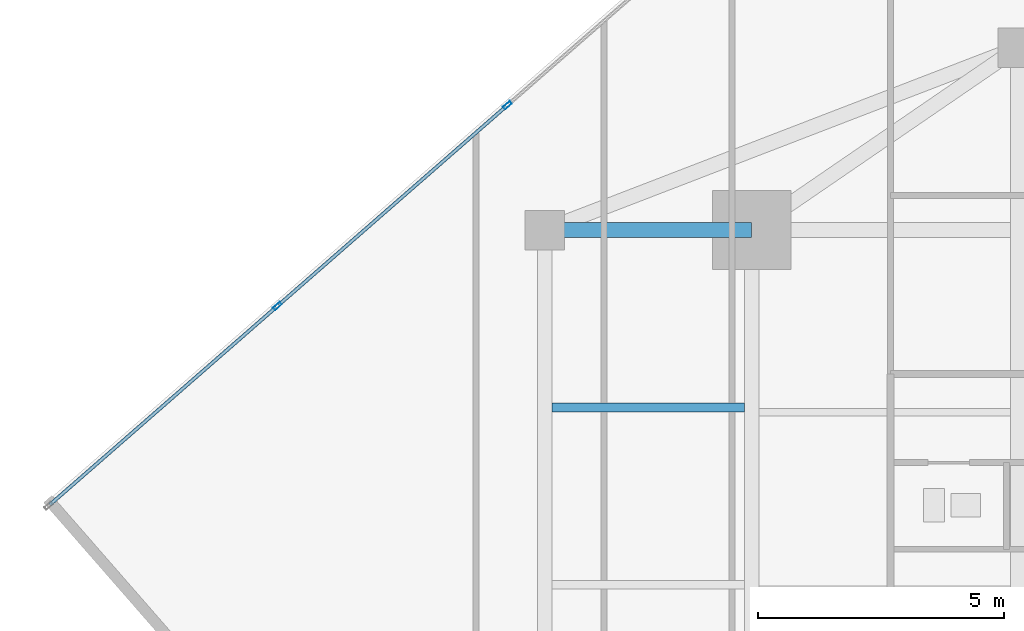
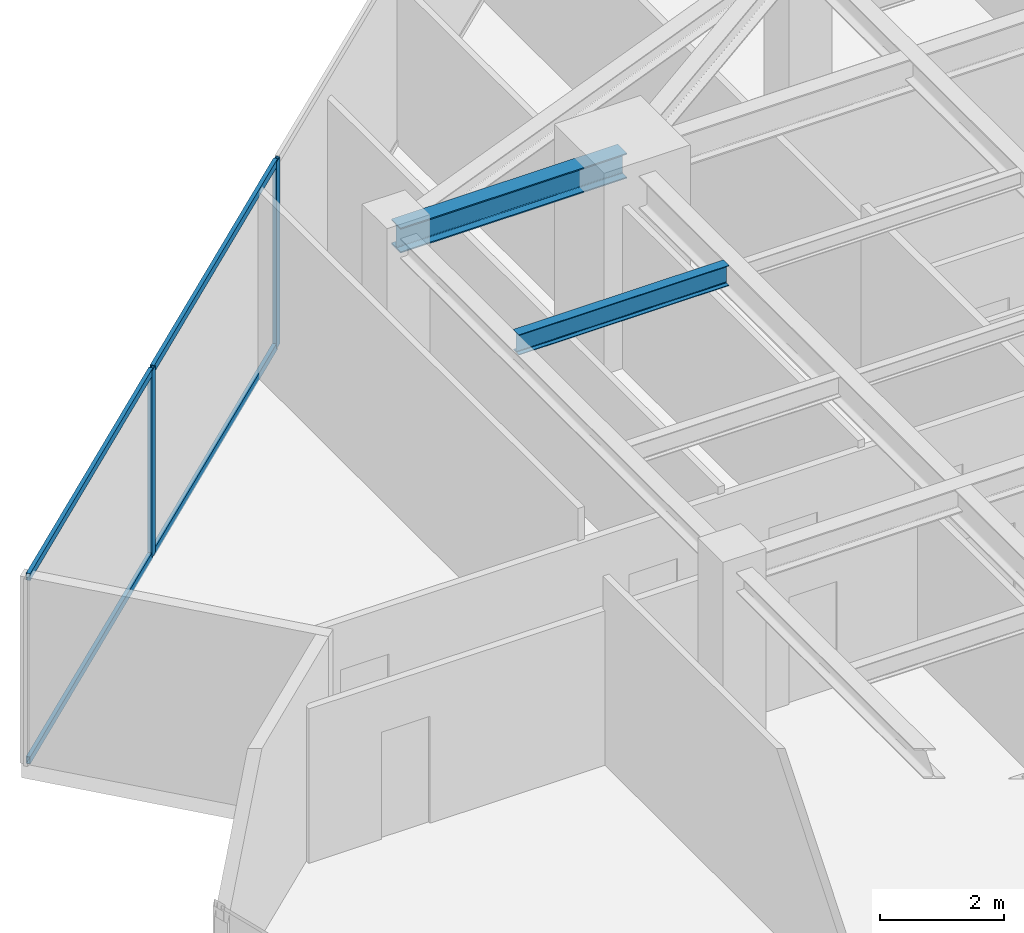
# One storey, part 13 of 24: 6 members, 2 beams, 1 element without a shape of its own.
"""IFC4 building model written with IfcOpenShell, lengths in metres."""

from ifc_helpers import new_model, si_unit, direction, frame, origin, origin_2d, place, context, subcontext, project, spatial, hollow_rectangle, i_section, extrude, source, transform, mapped, material, material_profile, profile_set, type_object, type_shapes, element, aggregate, save


model = new_model("IFC4")

# Units and contexts
model_context = context("Model", 3, precision=1e-05, world=origin(), true_north=direction((0.0, 1.0)))
body_context = subcontext(model_context, "Body", "Model", "MODEL_VIEW")
ifc_project = project(units=[si_unit("LENGTHUNIT", "METRE"), si_unit("AREAUNIT", "SQUARE_METRE"), si_unit("VOLUMEUNIT", "CUBIC_METRE"), si_unit("PLANEANGLEUNIT", "RADIAN"), si_unit("MASSUNIT", "GRAM", prefix="KILO")], contexts=[model_context])

# Site, building, storey
site_placement = place(None, origin())
site = spatial("IfcSite", under=ifc_project, at=site_placement, CompositionType="ELEMENT")
building_placement = place(site_placement, origin())
building = spatial("IfcBuilding", under=site, at=building_placement, Name="Krantzveldt Concourse Tower", CompositionType="ELEMENT")
storey_placement = place(building_placement, frame((0.0, 0.0, 250.75)))
storey = spatial("IfcBuildingStorey", under=building, at=storey_placement, Name="L61", CompositionType="ELEMENT", Elevation=250.75)

# Beams
ifc_material_1 = material(Name="Steel S355JR", Category="steel")
ifc_material_profile_1 = material_profile(ifc_material_1, i_section(OverallWidth=0.300048828125, OverallDepth=0.489990234375, WebThickness=0.011962890625, FlangeThickness=0.02294921875, FilletRadius=0.027099609375, at=origin_2d()), Name="Steel S355JR", Category="steel")
ifc_profile_set_1 = profile_set([ifc_material_profile_1], Name="Steel S355JR - HEA 500")
beam_type_1 = type_object("IfcBeamType", Name="BM-B-HEA500", PredefinedType="BEAM", material=ifc_profile_set_1)
shared_shape_1 = source(origin(), body_context, "Body", "SweptSolid", [
    extrude(i_section(OverallWidth=0.300048828125, OverallDepth=0.489990234375, WebThickness=0.011962890625, FlangeThickness=0.02294921875, FilletRadius=0.027099609375, at=origin_2d()), origin(), (0.0, 0.0, 1.0), 4.199951171875),
])
type_shapes(beam_type_1, [shared_shape_1])
beam_1_placement = place(storey_placement, frame((21.0, 37.5, 3.425048828125), z_axis=(1.0, 0.0, 0.0), x_axis=(0.0, 1.0, 0.0)))
element("IfcBeam", 1, at=beam_1_placement, inside=storey, type_object=beam_type_1, Name="L61 Tower Girder BR-RL3", PredefinedType="BEAM", context=body_context, shape_type="MappedRepresentation", body=[
    mapped(shared_shape_1, transform((0.0, 0.0, 0.0), x_axis=(1.0, 0.0, 0.0), y_axis=(0.0, 1.0, 0.0), z_axis=(0.0, 0.0, 1.0), scale=1.0)),
])
ifc_material_profile_2 = material_profile(ifc_material_1, i_section(OverallWidth=0.179931640625, OverallDepth=0.39990234375, WebThickness=0.008544921875, FlangeThickness=0.013427734375, FilletRadius=0.02099609375, at=origin_2d()), Name="Steel S355JR", Category="steel")
ifc_profile_set_2 = profile_set([ifc_material_profile_2], Name="Steel S355JR - IPE 400")
beam_type_2 = type_object("IfcBeamType", Name="BM-J-IPE400", PredefinedType="JOIST", material=ifc_profile_set_2)
shared_shape_2 = source(origin(), body_context, "Body", "SweptSolid", [
    extrude(i_section(OverallWidth=0.179931640625, OverallDepth=0.39990234375, WebThickness=0.008544921875, FlangeThickness=0.013427734375, FilletRadius=0.02099609375, at=origin_2d()), origin(), (0.0, 0.0, 1.0), 3.900146484375),
])
type_shapes(beam_type_2, [shared_shape_2])
beam_2_placement = place(storey_placement, frame((21.14990234375, 33.89990234375, 3.469970703125), z_axis=(1.0, 0.0, 0.0), x_axis=(0.0, 1.0, 0.0)))
element("IfcBeam", 2, at=beam_2_placement, inside=storey, type_object=beam_type_2, Name="L61 Secondary Floor Joist JW-4", PredefinedType="JOIST", context=body_context, shape_type="MappedRepresentation", body=[
    mapped(shared_shape_2, transform((0.0, 0.0, 0.0), x_axis=(1.0, 0.0, 0.0), y_axis=(0.0, 1.0, 0.0), z_axis=(0.0, 0.0, 1.0), scale=1.0)),
])

# Curtain wall, members
ifc_material_2 = material(Name="Anodised aluminium 6063-T6", Category="aluminium")
curtain_wall_type = type_object("IfcCurtainWallType", Name="CW3", PredefinedType="USERDEFINED", material=ifc_material_2)
curtain_wall_placement = place(storey_placement, origin())
curtain_wall = element("IfcCurtainWall", 3, at=curtain_wall_placement, inside=storey, type_object=curtain_wall_type, Name="CW-L61-F01", ObjectType="UNITISED CURTAIN WALL", PredefinedType="USERDEFINED")
ifc_material_profile_3 = material_profile(ifc_material_2, hollow_rectangle(XDim=0.070068359375, YDim=0.179931640625, WallThickness=0.0048828125, at=origin_2d()), Name="Anodised aluminium 6063-T6", Category="aluminium")
ifc_profile_set_3 = profile_set([ifc_material_profile_3], Name="Anodised aluminium 6063-T6 - ALU-MULL 180x70x5")
member_type_1 = type_object("IfcMemberType", Name="CW-MUL-180", PredefinedType="MULLION", material=ifc_profile_set_3)
shared_shape_3 = source(origin(), body_context, "Body", "SweptSolid", [
    extrude(hollow_rectangle(XDim=0.070068359375, YDim=0.179931640625, WallThickness=0.0048828125, at=origin_2d()), origin(), (0.0, 0.0, 1.0), 3.669921875),
])
type_shapes(member_type_1, [shared_shape_3])
member_1_placement = place(storey_placement, frame((20.2412109375, 40.035400390625, 0.0), z_axis=(0.0, 0.0, 1.0), x_axis=(0.657703938567, -0.753276529034, 0.0)))
member_1 = element("IfcMember", 4, at=member_1_placement, type_object=member_type_1, Name="CW-Z34 mullion 4", PredefinedType="MULLION", context=body_context, shape_type="MappedRepresentation", body=[
    mapped(shared_shape_3, transform((0.0, 0.0, 0.0), x_axis=(1.0, 0.0, 0.0), y_axis=(0.0, 1.0, 0.0), z_axis=(0.0, 0.0, 1.0), scale=1.0)),
])
member_2_placement = place(storey_placement, frame((15.57080078125, 35.957763671875, 0.0), z_axis=(0.0, 0.0, 1.0), x_axis=(0.657703938567, -0.753276529034, 0.0)))
member_2 = element("IfcMember", 5, at=member_2_placement, type_object=member_type_1, Name="CW-Z34 mullion 5", PredefinedType="MULLION", context=body_context, shape_type="MappedRepresentation", body=[
    mapped(shared_shape_3, transform((0.0, 0.0, 0.0), x_axis=(1.0, 0.0, 0.0), y_axis=(0.0, 1.0, 0.0), z_axis=(0.0, 0.0, 1.0), scale=1.0)),
])
ifc_material_profile_4 = material_profile(ifc_material_2, hollow_rectangle(XDim=0.070068359375, YDim=0.139892578125, WallThickness=0.0048828125, at=origin_2d()), Name="Anodised aluminium 6063-T6", Category="aluminium")
ifc_profile_set_4 = profile_set([ifc_material_profile_4], Name="Anodised aluminium 6063-T6 - ALU-TRAN 140x70x5")
member_type_2 = type_object("IfcMemberType", Name="CW-TRN-150", PredefinedType="USERDEFINED", material=ifc_profile_set_4)
shared_shape_4 = source(origin(), body_context, "Body", "SweptSolid", [
    extrude(hollow_rectangle(XDim=0.070068359375, YDim=0.139892578125, WallThickness=0.0048828125, at=origin_2d()), origin(), (0.0, 0.0, 1.0), 6.130126953125),
])
member_3_placement = place(storey_placement, frame((20.21484375, 40.012451171875, 0.034912109375), z_axis=(-0.753281864593, -0.657697827635, 0.0), x_axis=(0.657697827635, -0.753281864593, 0.0)))
member_3 = element("IfcMember", 6, at=member_3_placement, type_object=member_type_2, Name="CW-Z34 transom 4.1", ObjectType="TRANSOM", PredefinedType="USERDEFINED", context=body_context, shape_type="MappedRepresentation", body=[
    mapped(shared_shape_4, transform((0.0, 0.0, 0.0), x_axis=(1.0, 0.0, 0.0), y_axis=(0.0, 1.0, 0.0), z_axis=(0.0, 0.0, 1.0), scale=1.0)),
])
member_4_placement = place(storey_placement, frame((20.21484375, 40.012451171875, 3.635009765625), z_axis=(-0.753281864593, -0.657697827635, 0.0), x_axis=(0.657697827635, -0.753281864593, 0.0)))
member_4 = element("IfcMember", 7, at=member_4_placement, type_object=member_type_2, Name="CW-Z34 transom 4.2", ObjectType="TRANSOM", PredefinedType="USERDEFINED", context=body_context, shape_type="MappedRepresentation", body=[
    mapped(shared_shape_4, transform((0.0, 0.0, 0.0), x_axis=(1.0, 0.0, 0.0), y_axis=(0.0, 1.0, 0.0), z_axis=(0.0, 0.0, 1.0), scale=1.0)),
])
shared_shape_5 = source(origin(), body_context, "Body", "SweptSolid", [
    extrude(hollow_rectangle(XDim=0.070068359375, YDim=0.139892578125, WallThickness=0.0048828125, at=origin_2d()), origin(), (0.0, 0.0, 1.0), 6.09521484375),
])
type_shapes(member_type_2, [shared_shape_4, shared_shape_5])
member_5_placement = place(storey_placement, frame((15.54443359375, 35.934814453125, 0.034912109375), z_axis=(-0.75327599324, -0.657704552218, 0.0), x_axis=(0.657704552218, -0.75327599324, 0.0)))
member_5 = element("IfcMember", 8, at=member_5_placement, type_object=member_type_2, Name="CW-Z34 transom 5.1", ObjectType="TRANSOM", PredefinedType="USERDEFINED", context=body_context, shape_type="MappedRepresentation", body=[
    mapped(shared_shape_5, transform((0.0, 0.0, 0.0), x_axis=(1.0, 0.0, 0.0), y_axis=(0.0, 1.0, 0.0), z_axis=(0.0, 0.0, 1.0), scale=1.0)),
])
member_6_placement = place(storey_placement, frame((15.54443359375, 35.934814453125, 3.635009765625), z_axis=(-0.75327599324, -0.657704552218, 0.0), x_axis=(0.657704552218, -0.75327599324, 0.0)))
member_6 = element("IfcMember", 9, at=member_6_placement, type_object=member_type_2, Name="CW-Z34 transom 5.2", ObjectType="TRANSOM", PredefinedType="USERDEFINED", context=body_context, shape_type="MappedRepresentation", body=[
    mapped(shared_shape_5, transform((0.0, 0.0, 0.0), x_axis=(1.0, 0.0, 0.0), y_axis=(0.0, 1.0, 0.0), z_axis=(0.0, 0.0, 1.0), scale=1.0)),
])
aggregate(curtain_wall, [member_1, member_2, member_3, member_4, member_5, member_6])

save(model, "model.ifc")
